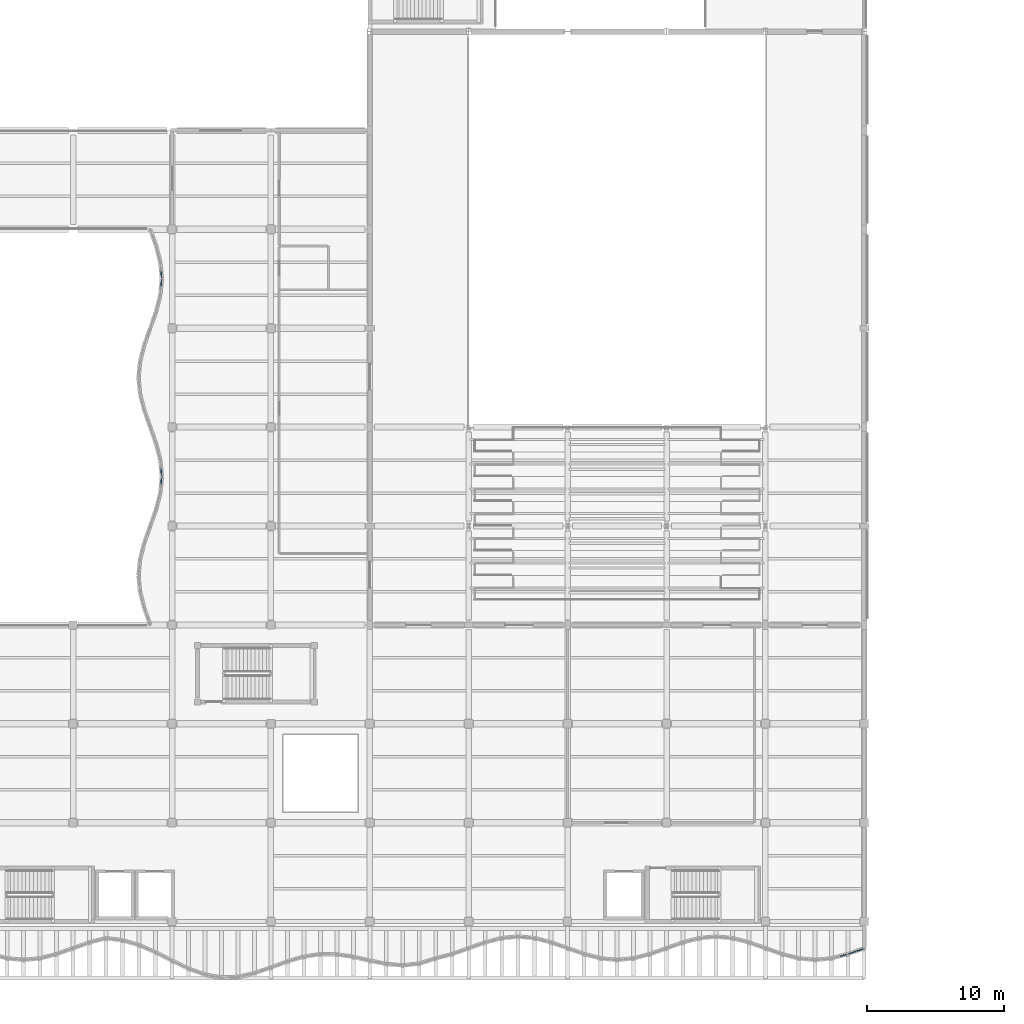
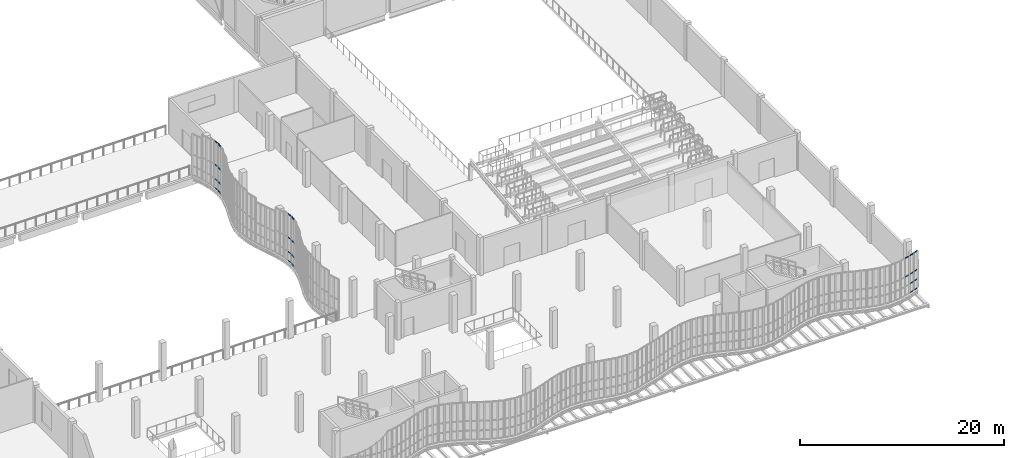
# One storey, part 63 of 105: 26 members, 6 elements without a shape of their own.
"""IFC4 building model written with IfcOpenShell, lengths in metres."""

from ifc_helpers import new_model, si_unit, direction, frame, origin, origin_2d, place, context, subcontext, project, spatial, hollow_rectangle, extrude, material, layer, layer_set, material_profile, profile_set, type_object, element, aggregate, save


model = new_model("IFC4")

# Units and contexts
model_context = context("Model", 3, precision=1e-05, world=origin(), true_north=direction((0.0, 1.0)))
body_context = subcontext(model_context, "Body", "Model", "MODEL_VIEW")
ifc_project = project(units=[si_unit("LENGTHUNIT", "METRE"), si_unit("AREAUNIT", "SQUARE_METRE"), si_unit("VOLUMEUNIT", "CUBIC_METRE"), si_unit("PLANEANGLEUNIT", "RADIAN"), si_unit("MASSUNIT", "GRAM", prefix="KILO"), si_unit("THERMODYNAMICTEMPERATUREUNIT", "KELVIN"), si_unit("POWERUNIT", "WATT")], contexts=[model_context])

# Site, building, storey
site_placement = place(None, origin())
site = spatial("IfcSite", under=ifc_project, at=site_placement, CompositionType="ELEMENT")
building_placement = place(site_placement, origin())
building = spatial("IfcBuilding", under=site, at=building_placement, Name="Kaldorven Railside Theatre", CompositionType="ELEMENT")
storey_placement = place(building_placement, frame((0.0, 0.0, 9.89990234375)))
storey = spatial("IfcBuildingStorey", under=building, at=storey_placement, Name="L02", CompositionType="ELEMENT", Elevation=9.89990234375)

# Curtain wall, members
ifc_material_1 = material(Name="Low-E laminated solar-control glass", Category="glass")
ifc_layer_1 = layer(ifc_material_1, 0.159912109375, Name="Low-E laminated solar-control glass")
ifc_layer_set_1 = layer_set([ifc_layer_1], Name="Low-E laminated solar-control glass")
curtain_wall_type_1 = type_object("IfcCurtainWallType", Name="CWT-02", PredefinedType="USERDEFINED", material=ifc_layer_set_1)
curtain_wall_1_placement = place(storey_placement, origin())
curtain_wall_1 = element("IfcCurtainWall", 1, at=curtain_wall_1_placement, inside=storey, type_object=curtain_wall_type_1, Name="Sinusoidal Fluted Curtain Wall CW-L02-S71", ObjectType="FLUTED GLAZING", PredefinedType="USERDEFINED")
ifc_material_2 = material(Name="Anodised bronze aluminium", Category="aluminium")
ifc_material_profile = material_profile(ifc_material_2, hollow_rectangle(XDim=0.06005859375, YDim=0.1201171875, WallThickness=0.0048828125, at=origin_2d()), Name="RHS 120x60x5")
ifc_profile_set = profile_set([ifc_material_profile], Name="Anodised bronze aluminium")
member_type = type_object("IfcMemberType", Name="CWT-120", PredefinedType="USERDEFINED", material=ifc_profile_set)
member_1_placement = place(storey_placement, frame((121.438720703125, 16.679443359375, 2.25), z_axis=(0.967979318949, 0.251029954561, 0.0), x_axis=(-0.251029954561, 0.967979318949, 0.0)))
member_1 = element("IfcMember", 2, at=member_1_placement, type_object=member_type, Name="CW-L02-S71 transom 2.3", ObjectType="TRANSOM", PredefinedType="USERDEFINED", context=body_context, shape_type="SweptSolid", body=[
    extrude(hollow_rectangle(XDim=0.06005859375, YDim=0.1201171875, WallThickness=0.0048828125, at=origin_2d()), origin(), (0.0, 0.0, 1.0), 0.5),
])
member_2_placement = place(storey_placement, frame((121.438720703125, 16.679443359375, 4.47021484375), z_axis=(0.967979318949, 0.251029954561, 0.0), x_axis=(-0.251029954561, 0.967979318949, 0.0)))
member_2 = element("IfcMember", 3, at=member_2_placement, type_object=member_type, Name="CW-L02-S71 transom 2.4", ObjectType="TRANSOM", PredefinedType="USERDEFINED", context=body_context, shape_type="SweptSolid", body=[
    extrude(hollow_rectangle(XDim=0.06005859375, YDim=0.1201171875, WallThickness=0.0048828125, at=origin_2d()), origin(), (0.0, 0.0, 1.0), 0.5),
])
aggregate(curtain_wall_1, [member_1, member_2])

ifc_layer_2 = layer(ifc_material_1, 0.159912109375, Name="Low-E laminated solar-control glass")
ifc_layer_set_2 = layer_set([ifc_layer_2], Name="Low-E laminated solar-control glass")
curtain_wall_type_2 = type_object("IfcCurtainWallType", Name="CWT-01", PredefinedType="USERDEFINED", material=ifc_layer_set_2)
curtain_wall_2_placement = place(storey_placement, origin())
curtain_wall_2 = element("IfcCurtainWall", 4, at=curtain_wall_2_placement, inside=storey, type_object=curtain_wall_type_2, Name="Sinusoidal Fluted Curtain Wall CW-L02-S72", ObjectType="FLUTED GLAZING", PredefinedType="USERDEFINED")
member_3_placement = place(storey_placement, frame((122.075439453125, 16.851806640625, 0.030029296875), z_axis=(0.942658214948, 0.333759628763, 0.0), x_axis=(-0.333759628763, 0.942658214948, 0.0)))
member_3 = element("IfcMember", 5, at=member_3_placement, type_object=member_type, Name="CW-L02-S72 transom 1.1", ObjectType="TRANSOM", PredefinedType="USERDEFINED", context=body_context, shape_type="SweptSolid", body=[
    extrude(hollow_rectangle(XDim=0.06005859375, YDim=0.1201171875, WallThickness=0.0048828125, at=origin_2d()), origin(), (0.0, 0.0, 1.0), 0.516357421875),
])
member_4_placement = place(storey_placement, frame((122.075439453125, 16.851806640625, 1.10009765625), z_axis=(0.942658214948, 0.333759628763, 0.0), x_axis=(-0.333759628763, 0.942658214948, 0.0)))
member_4 = element("IfcMember", 6, at=member_4_placement, type_object=member_type, Name="CW-L02-S72 transom 1.2", ObjectType="TRANSOM", PredefinedType="USERDEFINED", context=body_context, shape_type="SweptSolid", body=[
    extrude(hollow_rectangle(XDim=0.06005859375, YDim=0.1201171875, WallThickness=0.0048828125, at=origin_2d()), origin(), (0.0, 0.0, 1.0), 0.516357421875),
])
member_5_placement = place(storey_placement, frame((122.075439453125, 16.851806640625, 2.25), z_axis=(0.942658214948, 0.333759628763, 0.0), x_axis=(-0.333759628763, 0.942658214948, 0.0)))
member_5 = element("IfcMember", 7, at=member_5_placement, type_object=member_type, Name="CW-L02-S72 transom 1.3", ObjectType="TRANSOM", PredefinedType="USERDEFINED", context=body_context, shape_type="SweptSolid", body=[
    extrude(hollow_rectangle(XDim=0.06005859375, YDim=0.1201171875, WallThickness=0.0048828125, at=origin_2d()), origin(), (0.0, 0.0, 1.0), 0.516357421875),
])
member_6_placement = place(storey_placement, frame((122.075439453125, 16.851806640625, 4.47021484375), z_axis=(0.942658214948, 0.333759628763, 0.0), x_axis=(-0.333759628763, 0.942658214948, 0.0)))
member_6 = element("IfcMember", 8, at=member_6_placement, type_object=member_type, Name="CW-L02-S72 transom 1.4", ObjectType="TRANSOM", PredefinedType="USERDEFINED", context=body_context, shape_type="SweptSolid", body=[
    extrude(hollow_rectangle(XDim=0.06005859375, YDim=0.1201171875, WallThickness=0.0048828125, at=origin_2d()), origin(), (0.0, 0.0, 1.0), 0.516357421875),
])
member_7_placement = place(storey_placement, frame((122.6376953125, 17.05078125, 0.030029296875), z_axis=(0.942509408488, 0.334179614745, 0.0), x_axis=(-0.334179614745, 0.942509408488, 0.0)))
member_7 = element("IfcMember", 9, at=member_7_placement, type_object=member_type, Name="CW-L02-S72 transom 2.1", ObjectType="TRANSOM", PredefinedType="USERDEFINED", context=body_context, shape_type="SweptSolid", body=[
    extrude(hollow_rectangle(XDim=0.06005859375, YDim=0.1201171875, WallThickness=0.0048828125, at=origin_2d()), origin(), (0.0, 0.0, 1.0), 0.5166015625),
])
member_8_placement = place(storey_placement, frame((122.6376953125, 17.05078125, 1.10009765625), z_axis=(0.942509408488, 0.334179614745, 0.0), x_axis=(-0.334179614745, 0.942509408488, 0.0)))
member_8 = element("IfcMember", 10, at=member_8_placement, type_object=member_type, Name="CW-L02-S72 transom 2.2", ObjectType="TRANSOM", PredefinedType="USERDEFINED", context=body_context, shape_type="SweptSolid", body=[
    extrude(hollow_rectangle(XDim=0.06005859375, YDim=0.1201171875, WallThickness=0.0048828125, at=origin_2d()), origin(), (0.0, 0.0, 1.0), 0.5166015625),
])
member_9_placement = place(storey_placement, frame((122.6376953125, 17.05078125, 2.25), z_axis=(0.942509408488, 0.334179614745, 0.0), x_axis=(-0.334179614745, 0.942509408488, 0.0)))
member_9 = element("IfcMember", 11, at=member_9_placement, type_object=member_type, Name="CW-L02-S72 transom 2.3", ObjectType="TRANSOM", PredefinedType="USERDEFINED", context=body_context, shape_type="SweptSolid", body=[
    extrude(hollow_rectangle(XDim=0.06005859375, YDim=0.1201171875, WallThickness=0.0048828125, at=origin_2d()), origin(), (0.0, 0.0, 1.0), 0.5166015625),
])
member_10_placement = place(storey_placement, frame((122.6376953125, 17.05078125, 4.47021484375), z_axis=(0.942509408488, 0.334179614745, 0.0), x_axis=(-0.334179614745, 0.942509408488, 0.0)))
member_10 = element("IfcMember", 12, at=member_10_placement, type_object=member_type, Name="CW-L02-S72 transom 2.4", ObjectType="TRANSOM", PredefinedType="USERDEFINED", context=body_context, shape_type="SweptSolid", body=[
    extrude(hollow_rectangle(XDim=0.06005859375, YDim=0.1201171875, WallThickness=0.0048828125, at=origin_2d()), origin(), (0.0, 0.0, 1.0), 0.5166015625),
])
aggregate(curtain_wall_2, [member_3, member_4, member_5, member_6, member_7, member_8, member_9, member_10])

ifc_layer_3 = layer(ifc_material_1, 0.159912109375, Name="Low-E laminated solar-control glass")
ifc_layer_set_3 = layer_set([ifc_layer_3], Name="Low-E laminated solar-control glass")
curtain_wall_type_3 = type_object("IfcCurtainWallType", Name="CWT-24", PredefinedType="USERDEFINED", material=ifc_layer_set_3)
curtain_wall_3_placement = place(storey_placement, origin())
curtain_wall_3 = element("IfcCurtainWall", 13, at=curtain_wall_3_placement, inside=storey, type_object=curtain_wall_type_3, Name="Sinusoidal Fluted Curtain Wall CW-L02-W09", ObjectType="FLUTED GLAZING", PredefinedType="USERDEFINED")
member_11_placement = place(storey_placement, frame((71.996826171875, 51.039794921875, 0.030029296875), z_axis=(0.094594245591, 0.995515910823, 0.0), x_axis=(-0.995515910823, 0.094594245591, 0.0)))
member_11 = element("IfcMember", 14, at=member_11_placement, type_object=member_type, Name="CW-L02-W09 transom 2.1", ObjectType="TRANSOM", PredefinedType="USERDEFINED", context=body_context, shape_type="SweptSolid", body=[
    extrude(hollow_rectangle(XDim=0.06005859375, YDim=0.1201171875, WallThickness=0.0048828125, at=origin_2d()), origin(), (0.0, 0.0, 1.0), 0.482666015625),
])
member_12_placement = place(storey_placement, frame((71.996826171875, 51.039794921875, 1.10009765625), z_axis=(0.094594245591, 0.995515910823, 0.0), x_axis=(-0.995515910823, 0.094594245591, 0.0)))
member_12 = element("IfcMember", 15, at=member_12_placement, type_object=member_type, Name="CW-L02-W09 transom 2.2", ObjectType="TRANSOM", PredefinedType="USERDEFINED", context=body_context, shape_type="SweptSolid", body=[
    extrude(hollow_rectangle(XDim=0.06005859375, YDim=0.1201171875, WallThickness=0.0048828125, at=origin_2d()), origin(), (0.0, 0.0, 1.0), 0.482666015625),
])
member_13_placement = place(storey_placement, frame((71.996826171875, 51.039794921875, 2.820068359375), z_axis=(0.094594245591, 0.995515910823, 0.0), x_axis=(-0.995515910823, 0.094594245591, 0.0)))
member_13 = element("IfcMember", 16, at=member_13_placement, type_object=member_type, Name="CW-L02-W09 transom 2.3", ObjectType="TRANSOM", PredefinedType="USERDEFINED", context=body_context, shape_type="SweptSolid", body=[
    extrude(hollow_rectangle(XDim=0.06005859375, YDim=0.1201171875, WallThickness=0.0048828125, at=origin_2d()), origin(), (0.0, 0.0, 1.0), 0.482666015625),
])
member_14_placement = place(storey_placement, frame((71.996826171875, 51.039794921875, 5.610107421875), z_axis=(0.094594245591, 0.995515910823, 0.0), x_axis=(-0.995515910823, 0.094594245591, 0.0)))
member_14 = element("IfcMember", 17, at=member_14_placement, type_object=member_type, Name="CW-L02-W09 transom 2.4", ObjectType="TRANSOM", PredefinedType="USERDEFINED", context=body_context, shape_type="SweptSolid", body=[
    extrude(hollow_rectangle(XDim=0.06005859375, YDim=0.1201171875, WallThickness=0.0048828125, at=origin_2d()), origin(), (0.0, 0.0, 1.0), 0.482666015625),
])
aggregate(curtain_wall_3, [member_11, member_12, member_13, member_14])

curtain_wall_4_placement = place(storey_placement, origin())
curtain_wall_4 = element("IfcCurtainWall", 18, at=curtain_wall_4_placement, inside=storey, type_object=curtain_wall_type_3, Name="Sinusoidal Fluted Curtain Wall CW-L02-W10", ObjectType="FLUTED GLAZING", PredefinedType="USERDEFINED")
member_15_placement = place(storey_placement, frame((72.04248046875, 51.6796875, 0.030029296875), z_axis=(-0.094594245591, 0.995515910823, 0.0), x_axis=(-0.995515910823, -0.094594245591, 0.0)))
member_15 = element("IfcMember", 19, at=member_15_placement, type_object=member_type, Name="CW-L02-W10 transom 1.1", ObjectType="TRANSOM", PredefinedType="USERDEFINED", context=body_context, shape_type="SweptSolid", body=[
    extrude(hollow_rectangle(XDim=0.06005859375, YDim=0.1201171875, WallThickness=0.0048828125, at=origin_2d()), origin(), (0.0, 0.0, 1.0), 0.482666015625),
])
member_16_placement = place(storey_placement, frame((72.04248046875, 51.6796875, 1.10009765625), z_axis=(-0.094594245591, 0.995515910823, 0.0), x_axis=(-0.995515910823, -0.094594245591, 0.0)))
member_16 = element("IfcMember", 20, at=member_16_placement, type_object=member_type, Name="CW-L02-W10 transom 1.2", ObjectType="TRANSOM", PredefinedType="USERDEFINED", context=body_context, shape_type="SweptSolid", body=[
    extrude(hollow_rectangle(XDim=0.06005859375, YDim=0.1201171875, WallThickness=0.0048828125, at=origin_2d()), origin(), (0.0, 0.0, 1.0), 0.482666015625),
])
member_17_placement = place(storey_placement, frame((72.04248046875, 51.6796875, 2.820068359375), z_axis=(-0.094594245591, 0.995515910823, 0.0), x_axis=(-0.995515910823, -0.094594245591, 0.0)))
member_17 = element("IfcMember", 21, at=member_17_placement, type_object=member_type, Name="CW-L02-W10 transom 1.3", ObjectType="TRANSOM", PredefinedType="USERDEFINED", context=body_context, shape_type="SweptSolid", body=[
    extrude(hollow_rectangle(XDim=0.06005859375, YDim=0.1201171875, WallThickness=0.0048828125, at=origin_2d()), origin(), (0.0, 0.0, 1.0), 0.482666015625),
])
member_18_placement = place(storey_placement, frame((72.04248046875, 51.6796875, 5.610107421875), z_axis=(-0.094594245591, 0.995515910823, 0.0), x_axis=(-0.995515910823, -0.094594245591, 0.0)))
member_18 = element("IfcMember", 22, at=member_18_placement, type_object=member_type, Name="CW-L02-W10 transom 1.4", ObjectType="TRANSOM", PredefinedType="USERDEFINED", context=body_context, shape_type="SweptSolid", body=[
    extrude(hollow_rectangle(XDim=0.06005859375, YDim=0.1201171875, WallThickness=0.0048828125, at=origin_2d()), origin(), (0.0, 0.0, 1.0), 0.482666015625),
])
aggregate(curtain_wall_4, [member_15, member_16, member_17, member_18])

curtain_wall_5_placement = place(storey_placement, origin())
curtain_wall_5 = element("IfcCurtainWall", 23, at=curtain_wall_5_placement, inside=storey, type_object=curtain_wall_type_3, Name="Sinusoidal Fluted Curtain Wall CW-L02-W21", ObjectType="FLUTED GLAZING", PredefinedType="USERDEFINED")
member_19_placement = place(storey_placement, frame((71.996826171875, 65.43994140625, 0.030029296875), z_axis=(0.094594245591, 0.995515910823, 0.0), x_axis=(-0.995515910823, 0.094594245591, 0.0)))
member_19 = element("IfcMember", 24, at=member_19_placement, type_object=member_type, Name="CW-L02-W21 transom 2.1", ObjectType="TRANSOM", PredefinedType="USERDEFINED", context=body_context, shape_type="SweptSolid", body=[
    extrude(hollow_rectangle(XDim=0.06005859375, YDim=0.1201171875, WallThickness=0.0048828125, at=origin_2d()), origin(), (0.0, 0.0, 1.0), 0.482666015625),
])
member_20_placement = place(storey_placement, frame((71.996826171875, 65.43994140625, 1.10009765625), z_axis=(0.094594245591, 0.995515910823, 0.0), x_axis=(-0.995515910823, 0.094594245591, 0.0)))
member_20 = element("IfcMember", 25, at=member_20_placement, type_object=member_type, Name="CW-L02-W21 transom 2.2", ObjectType="TRANSOM", PredefinedType="USERDEFINED", context=body_context, shape_type="SweptSolid", body=[
    extrude(hollow_rectangle(XDim=0.06005859375, YDim=0.1201171875, WallThickness=0.0048828125, at=origin_2d()), origin(), (0.0, 0.0, 1.0), 0.482666015625),
])
member_21_placement = place(storey_placement, frame((71.996826171875, 65.43994140625, 2.820068359375), z_axis=(0.094594245591, 0.995515910823, 0.0), x_axis=(-0.995515910823, 0.094594245591, 0.0)))
member_21 = element("IfcMember", 26, at=member_21_placement, type_object=member_type, Name="CW-L02-W21 transom 2.3", ObjectType="TRANSOM", PredefinedType="USERDEFINED", context=body_context, shape_type="SweptSolid", body=[
    extrude(hollow_rectangle(XDim=0.06005859375, YDim=0.1201171875, WallThickness=0.0048828125, at=origin_2d()), origin(), (0.0, 0.0, 1.0), 0.482666015625),
])
member_22_placement = place(storey_placement, frame((71.996826171875, 65.43994140625, 5.610107421875), z_axis=(0.094594245591, 0.995515910823, 0.0), x_axis=(-0.995515910823, 0.094594245591, 0.0)))
member_22 = element("IfcMember", 27, at=member_22_placement, type_object=member_type, Name="CW-L02-W21 transom 2.4", ObjectType="TRANSOM", PredefinedType="USERDEFINED", context=body_context, shape_type="SweptSolid", body=[
    extrude(hollow_rectangle(XDim=0.06005859375, YDim=0.1201171875, WallThickness=0.0048828125, at=origin_2d()), origin(), (0.0, 0.0, 1.0), 0.482666015625),
])
aggregate(curtain_wall_5, [member_19, member_20, member_21, member_22])

curtain_wall_6_placement = place(storey_placement, origin())
curtain_wall_6 = element("IfcCurtainWall", 28, at=curtain_wall_6_placement, inside=storey, type_object=curtain_wall_type_3, Name="Sinusoidal Fluted Curtain Wall CW-L02-W22", ObjectType="FLUTED GLAZING", PredefinedType="USERDEFINED")
member_23_placement = place(storey_placement, frame((72.04248046875, 66.07958984375, 0.030029296875), z_axis=(-0.094594245591, 0.995515910823, 0.0), x_axis=(-0.995515910823, -0.094594245591, 0.0)))
member_23 = element("IfcMember", 29, at=member_23_placement, type_object=member_type, Name="CW-L02-W22 transom 1.1", ObjectType="TRANSOM", PredefinedType="USERDEFINED", context=body_context, shape_type="SweptSolid", body=[
    extrude(hollow_rectangle(XDim=0.06005859375, YDim=0.1201171875, WallThickness=0.0048828125, at=origin_2d()), origin(), (0.0, 0.0, 1.0), 0.482666015625),
])
member_24_placement = place(storey_placement, frame((72.04248046875, 66.07958984375, 1.10009765625), z_axis=(-0.094594245591, 0.995515910823, 0.0), x_axis=(-0.995515910823, -0.094594245591, 0.0)))
member_24 = element("IfcMember", 30, at=member_24_placement, type_object=member_type, Name="CW-L02-W22 transom 1.2", ObjectType="TRANSOM", PredefinedType="USERDEFINED", context=body_context, shape_type="SweptSolid", body=[
    extrude(hollow_rectangle(XDim=0.06005859375, YDim=0.1201171875, WallThickness=0.0048828125, at=origin_2d()), origin(), (0.0, 0.0, 1.0), 0.482666015625),
])
member_25_placement = place(storey_placement, frame((72.04248046875, 66.07958984375, 2.820068359375), z_axis=(-0.094594245591, 0.995515910823, 0.0), x_axis=(-0.995515910823, -0.094594245591, 0.0)))
member_25 = element("IfcMember", 31, at=member_25_placement, type_object=member_type, Name="CW-L02-W22 transom 1.3", ObjectType="TRANSOM", PredefinedType="USERDEFINED", context=body_context, shape_type="SweptSolid", body=[
    extrude(hollow_rectangle(XDim=0.06005859375, YDim=0.1201171875, WallThickness=0.0048828125, at=origin_2d()), origin(), (0.0, 0.0, 1.0), 0.482666015625),
])
member_26_placement = place(storey_placement, frame((72.04248046875, 66.07958984375, 5.610107421875), z_axis=(-0.094594245591, 0.995515910823, 0.0), x_axis=(-0.995515910823, -0.094594245591, 0.0)))
member_26 = element("IfcMember", 32, at=member_26_placement, type_object=member_type, Name="CW-L02-W22 transom 1.4", ObjectType="TRANSOM", PredefinedType="USERDEFINED", context=body_context, shape_type="SweptSolid", body=[
    extrude(hollow_rectangle(XDim=0.06005859375, YDim=0.1201171875, WallThickness=0.0048828125, at=origin_2d()), origin(), (0.0, 0.0, 1.0), 0.482666015625),
])
aggregate(curtain_wall_6, [member_23, member_24, member_25, member_26])

save(model, "model.ifc")
